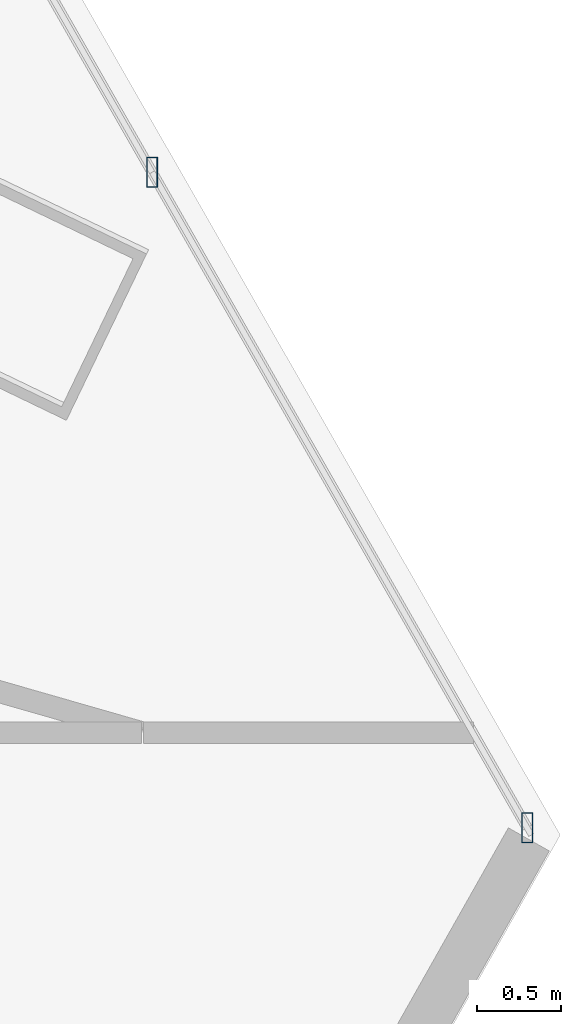
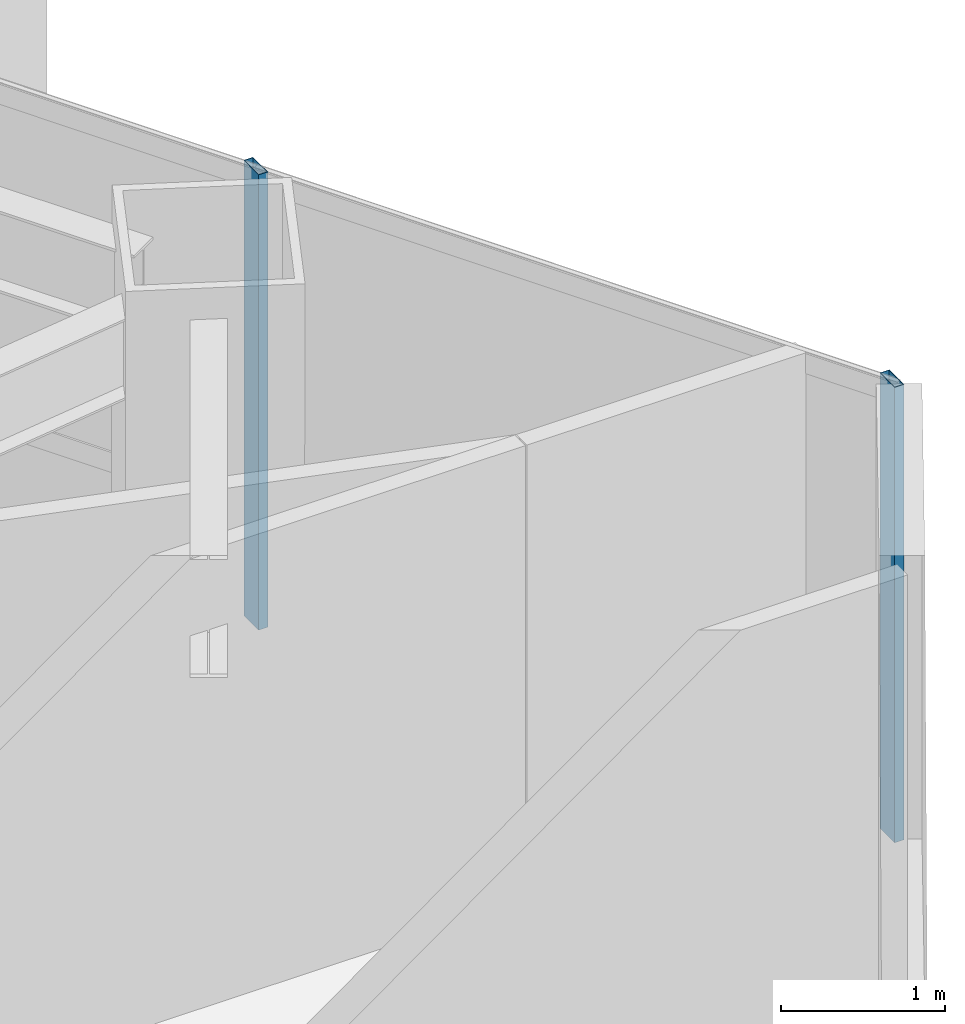
# One storey, part 19 of 36: 2 members, 1 element without a shape of its own.
"""IFC4 building model written with IfcOpenShell, lengths in metres."""

from ifc_helpers import new_model, si_unit, direction, frame, origin, origin_2d, place, context, subcontext, project, spatial, hollow_rectangle, extrude, source, transform, mapped, material, material_profile, profile_set, type_object, type_shapes, element, aggregate, save


model = new_model("IFC4")

# Units and contexts
model_context = context("Model", 3, precision=1e-05, world=origin(), true_north=direction((0.0, 1.0)))
body_context = subcontext(model_context, "Body", "Model", "MODEL_VIEW")
ifc_project = project(units=[si_unit("LENGTHUNIT", "METRE"), si_unit("AREAUNIT", "SQUARE_METRE"), si_unit("VOLUMEUNIT", "CUBIC_METRE"), si_unit("PLANEANGLEUNIT", "RADIAN"), si_unit("MASSUNIT", "GRAM", prefix="KILO")], contexts=[model_context])

# Site, building, storey
site_placement = place(None, origin())
site = spatial("IfcSite", under=ifc_project, at=site_placement, CompositionType="ELEMENT")
building_placement = place(site_placement, origin())
building = spatial("IfcBuilding", under=site, at=building_placement, Name="Caelisora Broadcast Tower", CompositionType="ELEMENT")
storey_placement = place(building_placement, frame((0.0, 0.0, 83.5)))
storey = spatial("IfcBuildingStorey", under=building, at=storey_placement, Name="L21", CompositionType="ELEMENT", Elevation=83.5)

# Curtain wall, members
ifc_material_1 = material(Name="Unitised Aluminium and Low-E Glass Curtain Wall", Category="glass")
curtain_wall_type = type_object("IfcCurtainWallType", Name="CW-Z2", PredefinedType="NOTDEFINED", material=ifc_material_1)
curtain_wall_placement = place(storey_placement, origin())
curtain_wall = element("IfcCurtainWall", 1, at=curtain_wall_placement, inside=storey, type_object=curtain_wall_type, Name="L21 curtain wall CW-Z2", PredefinedType="NOTDEFINED")
ifc_material_2 = material(Name="Aluminium 6063-T6 Anodised Terracotta Bronze", Category="aluminium")
ifc_material_profile = material_profile(ifc_material_2, hollow_rectangle(XDim=0.06494140625, YDim=0.179931640625, WallThickness=0.00341796875, at=origin_2d()), Name="Aluminium 6063-T6 Anodised Terracotta Bronze")
ifc_profile_set = profile_set([ifc_material_profile], Name="Aluminium 6063-T6 Anodised Terracotta Bronze")
member_type = type_object("IfcMemberType", Name="CWM-02", PredefinedType="MULLION", material=ifc_profile_set)
shared_shape = source(origin(), body_context, "Body", "SweptSolid", [
    extrude(hollow_rectangle(XDim=0.06494140625, YDim=0.179931640625, WallThickness=0.00341796875, at=origin_2d()), origin(), (0.0, 0.0, 1.0), 3.39990234375),
])
type_shapes(member_type, [shared_shape])
member_1_placement = place(storey_placement, frame((62.11669921875, 20.44091796875, 0.0), z_axis=(0.0, 0.0, 1.0), x_axis=(1.0, 0.0, 0.0)))
member_1 = element("IfcMember", 2, at=member_1_placement, type_object=member_type, Name="L21-CW-B03 mullion #2", PredefinedType="MULLION", context=body_context, shape_type="MappedRepresentation", body=[
    mapped(shared_shape, transform((0.0, 0.0, 0.0), scale=1.0)),
])
member_2_placement = place(storey_placement, frame((64.352294921875, 16.533447265625, 0.0), z_axis=(0.0, 0.0, 1.0), x_axis=(1.0, 0.0, 0.0)))
member_2 = element("IfcMember", 3, at=member_2_placement, type_object=member_type, Name="L21-CW-B03 mullion #3", PredefinedType="MULLION", context=body_context, shape_type="MappedRepresentation", body=[
    mapped(shared_shape, transform((0.0, 0.0, 0.0), scale=1.0)),
])
aggregate(curtain_wall, [member_1, member_2])

save(model, "model.ifc")
